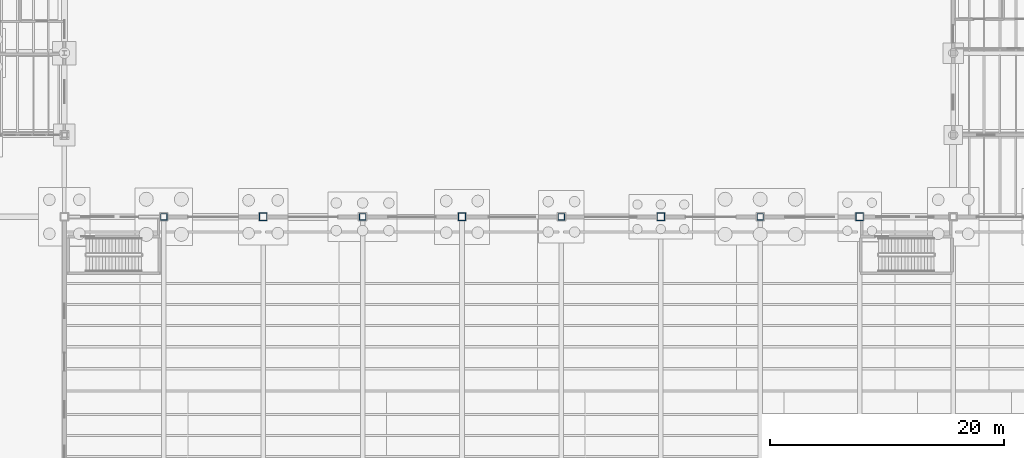
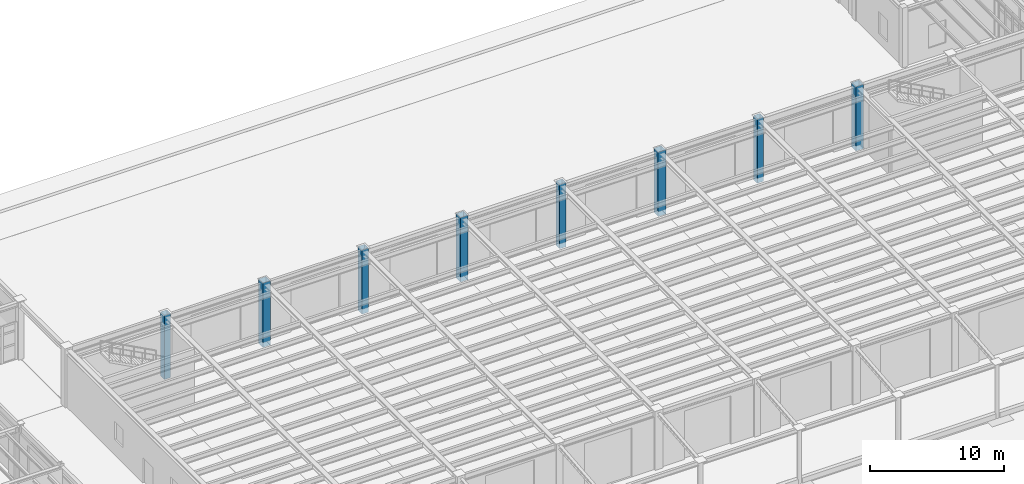
# One storey, part 17 of 86: 8 columns.
"""IFC4 building model written with IfcOpenShell, lengths in metres."""

from ifc_helpers import new_model, si_unit, direction, frame, origin, origin_2d, place, context, subcontext, project, spatial, hollow_rectangle, extrude, material, material_profile, profile_set, type_object, element, save


model = new_model("IFC4")

# Units and contexts
model_context = context("Model", 3, precision=1e-05, world=origin(), true_north=direction((0.0, 1.0)))
body_context = subcontext(model_context, "Body", "Model", "MODEL_VIEW")
ifc_project = project(units=[si_unit("LENGTHUNIT", "METRE"), si_unit("AREAUNIT", "SQUARE_METRE"), si_unit("VOLUMEUNIT", "CUBIC_METRE"), si_unit("PLANEANGLEUNIT", "RADIAN"), si_unit("MASSUNIT", "GRAM", prefix="KILO"), si_unit("THERMODYNAMICTEMPERATUREUNIT", "KELVIN"), si_unit("POWERUNIT", "WATT")], contexts=[model_context])

# Site, building, storey
site_placement = place(None, origin())
site = spatial("IfcSite", under=ifc_project, at=site_placement, CompositionType="ELEMENT")
building_placement = place(site_placement, origin())
building = spatial("IfcBuilding", under=site, at=building_placement, Name="Zhenchuan Central Fire Station", CompositionType="ELEMENT")
storey_placement = place(building_placement, frame((0.0, 0.0, 0.449951171875)))
storey = spatial("IfcBuildingStorey", under=building, at=storey_placement, Name="L01", CompositionType="ELEMENT", Elevation=0.449951171875)

# Columns
ifc_material = material(Name="Steel Q355B", Category="steel")
ifc_material_profile_1 = material_profile(ifc_material, hollow_rectangle(XDim=0.550048828125, YDim=0.550048828125, WallThickness=0.02587890625, at=origin_2d()), Name="BOX 550x550x26")
ifc_profile_set_1 = profile_set([ifc_material_profile_1], Name="Steel Q355B")
column_type_1 = type_object("IfcColumnType", Name="COL-BOX550", PredefinedType="COLUMN", material=ifc_profile_set_1)
for number, where, z_axis, x_axis, name in (
    (1, (64.5, 35.5, -0.449951171875), (0.0, 0.0, 1.0), (1.0, 0.0, 0.0), "L01 Column 072"),
    (2, (81.5, 35.5, -0.449951171875), (0.0, 0.0, 1.0), (1.0, 0.0, 0.0), "L01 Column 078"),
    (3, (98.5, 35.5, -0.449951171875), (0.0, 0.0, 1.0), (1.0, 0.0, 0.0), "L01 Column 084"),
    (4, (115.5, 35.5, -0.449951171875), (0.0, 0.0, 1.0), (1.0, 0.0, 0.0), "L01 Column 090"),
):
    element("IfcColumn", number, at=place(storey_placement, frame(where, z_axis=z_axis, x_axis=x_axis)), inside=storey, type_object=column_type_1, Name=name, PredefinedType="COLUMN", context=body_context, shape_type="SweptSolid", body=[
        extrude(hollow_rectangle(XDim=0.550048828125, YDim=0.550048828125, WallThickness=0.02587890625, at=origin_2d()), origin(), (0.0, 0.0, 1.0), 5.85009765625),
    ])
ifc_material_profile_2 = material_profile(ifc_material, hollow_rectangle(XDim=0.64990234375, YDim=0.64990234375, WallThickness=0.031982421875, at=origin_2d()), Name="BOX 650x650x32")
ifc_profile_set_2 = profile_set([ifc_material_profile_2], Name="Steel Q355B")
column_type_2 = type_object("IfcColumnType", Name="COL-BOX650", PredefinedType="COLUMN", material=ifc_profile_set_2)
for number, where, z_axis, x_axis, name in (
    (5, (73.0, 35.5, -0.449951171875), (0.0, 0.0, 1.0), (1.0, 0.0, 0.0), "L01 Column 075"),
    (6, (90.0, 35.5, -0.449951171875), (0.0, 0.0, 1.0), (1.0, 0.0, 0.0), "L01 Column 081"),
    (7, (107.0, 35.5, -0.449951171875), (0.0, 0.0, 1.0), (1.0, 0.0, 0.0), "L01 Column 087"),
    (8, (124.0, 35.5, -0.449951171875), (0.0, 0.0, 1.0), (1.0, 0.0, 0.0), "L01 Column 093"),
):
    element("IfcColumn", number, at=place(storey_placement, frame(where, z_axis=z_axis, x_axis=x_axis)), inside=storey, type_object=column_type_2, Name=name, PredefinedType="COLUMN", context=body_context, shape_type="SweptSolid", body=[
        extrude(hollow_rectangle(XDim=0.64990234375, YDim=0.64990234375, WallThickness=0.031982421875, at=origin_2d()), origin(), (0.0, 0.0, 1.0), 5.85009765625),
    ])

save(model, "model.ifc")
